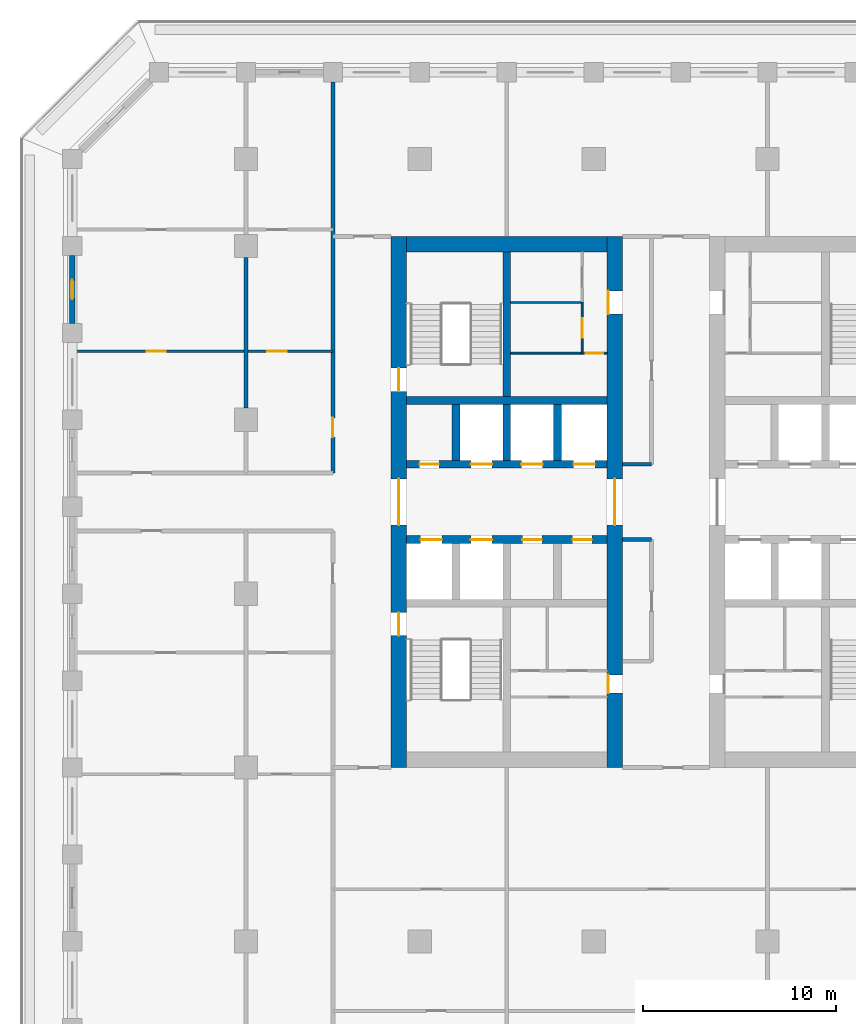
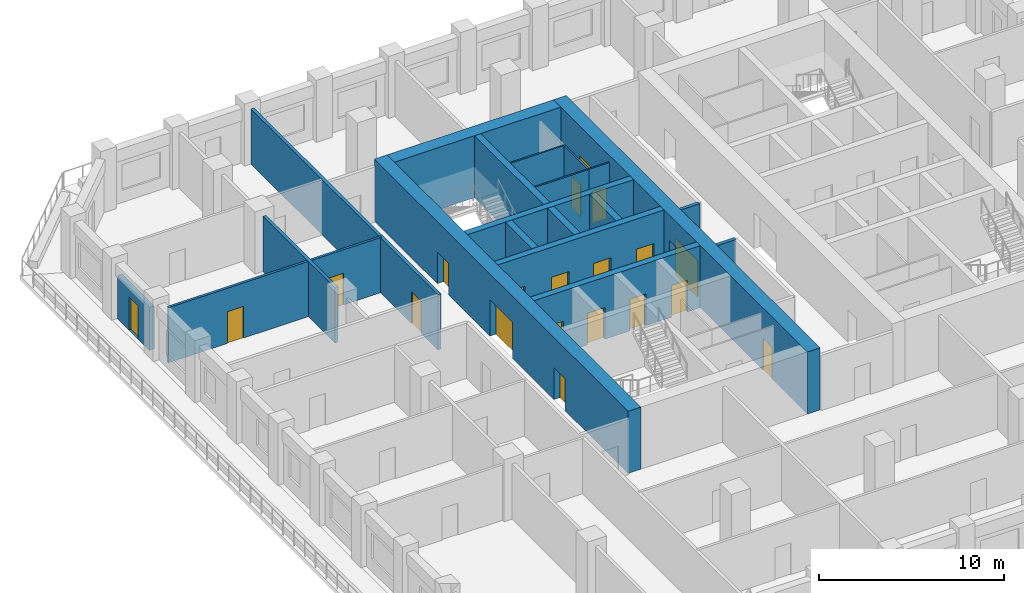
# One storey, part 5 of 16: 20 doors, 20 walls, 20 openings.
"""IFC4 building model written with IfcOpenShell, lengths in metres."""

from ifc_helpers import new_model, si_unit, direction, frame, frame_2d, origin, place, context, subcontext, project, spatial, rectangle, extrude, material, layer, layer_set, type_object, element, fill, save


model = new_model("IFC4")

# Units and contexts
model_context = context("Model", 3, precision=1e-05, world=origin(), true_north=direction((0.0, 1.0)))
body_context = subcontext(model_context, "Body", "Model", "MODEL_VIEW")
ifc_project = project(units=[si_unit("LENGTHUNIT", "METRE"), si_unit("AREAUNIT", "SQUARE_METRE"), si_unit("VOLUMEUNIT", "CUBIC_METRE"), si_unit("PLANEANGLEUNIT", "RADIAN"), si_unit("MASSUNIT", "GRAM", prefix="KILO")], contexts=[model_context])

# Site, building, storey
site_placement = place(None, origin())
site = spatial("IfcSite", under=ifc_project, at=site_placement, CompositionType="ELEMENT")
building_placement = place(site_placement, origin())
building = spatial("IfcBuilding", under=site, at=building_placement, Name="Corbel Stack Research Tower", CompositionType="ELEMENT")
storey_placement = place(building_placement, frame((0.0, 0.0, 177.300048828125)))
storey = spatial("IfcBuildingStorey", under=building, at=storey_placement, Name="L40", CompositionType="ELEMENT", Elevation=177.300048828125)

# Wall, openings, doors
ifc_material_1 = material(Name="Concrete C60/75", Category="concrete")
ifc_layer_1 = layer(ifc_material_1, 0.39990234375)
ifc_layer_set_1 = layer_set([ifc_layer_1], Name="Concrete C60/75")
wall_type_1 = type_object("IfcWallType", Name="CW-400-60", PredefinedType="SHEAR", material=ifc_layer_set_1)
wall_1_placement = place(storey_placement, frame((-9.699951171875, 2.800048828125, 0.0), z_axis=(0.0, 0.0, 1.0), x_axis=(1.0, 0.0, 0.0)))
wall_1 = element("IfcWall", 1, at=wall_1_placement, inside=storey, type_object=wall_type_1, Name="West core wall, lobby south L40", PredefinedType="SHEAR", context=body_context, shape_type="SweptSolid", body=[
    extrude(rectangle(XDim=10.39990234375, YDim=0.39990234375, at=frame_2d((5.199951171875, 0.0))), origin(), (0.0, 0.0, 1.0), 4.099853515625),
])
opening_1_placement = place(wall_1_placement, frame((0.737548828125, 0.0, 0.0)))
opening_1 = element("IfcOpeningElement", 2, at=opening_1_placement, cuts=wall_1, Name="Opening LD-FS1", PredefinedType="OPENING", context=body_context, shape_type="SweptSolid", body=[
    extrude(rectangle(XDim=1.10009765625, YDim=2.10009765625, at=frame_2d((0.550048828125, 1.050048828125))), frame((0.0, 0.2099609375, 0.0), z_axis=(0.0, -1.0, 0.0), x_axis=(1.0, 0.0, 0.0)), (0.0, 0.0, 1.0), 0.419921875),
])
opening_2_placement = place(wall_1_placement, frame((3.33740234375, 0.0, 0.0)))
opening_2 = element("IfcOpeningElement", 3, at=opening_2_placement, cuts=wall_1, Name="Opening LD-GL1", PredefinedType="OPENING", context=body_context, shape_type="SweptSolid", body=[
    extrude(rectangle(XDim=1.10009765625, YDim=2.10009765625, at=frame_2d((0.550048828125, 1.050048828125))), frame((0.0, 0.2099609375, 0.0), z_axis=(0.0, -1.0, 0.0), x_axis=(1.0, 0.0, 0.0)), (0.0, 0.0, 1.0), 0.419921875),
])
opening_3_placement = place(wall_1_placement, frame((6.012451171875, 0.0, 0.0)))
opening_3 = element("IfcOpeningElement", 4, at=opening_3_placement, cuts=wall_1, Name="Opening CR-W24-S3", PredefinedType="OPENING", context=body_context, shape_type="SweptSolid", body=[
    extrude(rectangle(XDim=1.0, YDim=2.10009765625, at=frame_2d((0.5, 1.050048828125))), frame((0.0, 0.2099609375, 0.0), z_axis=(0.0, -1.0, 0.0), x_axis=(1.0, 0.0, 0.0)), (0.0, 0.0, 1.0), 0.419921875),
])
opening_4_placement = place(wall_1_placement, frame((8.612548828125, 0.0, 0.0)))
opening_4 = element("IfcOpeningElement", 5, at=opening_4_placement, cuts=wall_1, Name="Opening CR-W24-S4", PredefinedType="OPENING", context=body_context, shape_type="SweptSolid", body=[
    extrude(rectangle(XDim=1.0, YDim=2.10009765625, at=frame_2d((0.5, 1.050048828125))), frame((0.0, 0.2099609375, 0.0), z_axis=(0.0, -1.0, 0.0), x_axis=(1.0, 0.0, 0.0)), (0.0, 0.0, 1.0), 0.419921875),
])
ifc_material_2 = material(Name="Stainless steel landing door", Category="steel")
door_type_1 = type_object("IfcDoorType", Name="Lift landing door 1100 x 2100", OperationType="DOUBLE_DOOR_SLIDING", PredefinedType="DOOR", material=ifc_material_2)
door_1_placement = place(opening_1_placement, origin())
door_1 = element("IfcDoor", 6, at=door_1_placement, inside=storey, type_object=door_type_1, Name="Landing door FS1", OperationType="DOUBLE_DOOR_SLIDING", OverallHeight=2.10009765625, OverallWidth=1.10009765625, PredefinedType="DOOR", context=body_context, shape_type="SweptSolid", body=[
    extrude(rectangle(XDim=1.10009765625, YDim=2.10009765625, at=frame_2d((0.550048828125, 1.050048828125))), frame((0.0, 0.02490234375, 0.0), z_axis=(0.0, -1.0, 0.0), x_axis=(1.0, 0.0, 0.0)), (0.0, 0.0, 1.0), 0.050048828125),
])
fill(opening_1, door_1)
door_2_placement = place(opening_2_placement, origin())
door_2 = element("IfcDoor", 7, at=door_2_placement, inside=storey, type_object=door_type_1, Name="Landing door GL1", OperationType="DOUBLE_DOOR_SLIDING", OverallHeight=2.10009765625, OverallWidth=1.10009765625, PredefinedType="DOOR", context=body_context, shape_type="SweptSolid", body=[
    extrude(rectangle(XDim=1.10009765625, YDim=2.10009765625, at=frame_2d((0.550048828125, 1.050048828125))), frame((0.0, 0.02490234375, 0.0), z_axis=(0.0, -1.0, 0.0), x_axis=(1.0, 0.0, 0.0)), (0.0, 0.0, 1.0), 0.050048828125),
])
fill(opening_2, door_2)
ifc_material_3 = material(Name="Painted steel door", Category="steel")
door_type_2 = type_object("IfcDoorType", Name="Service door 1000 x 2100 FD60 left hand", OperationType="SINGLE_SWING_LEFT", PredefinedType="DOOR", material=ifc_material_3)
door_3_placement = place(opening_3_placement, origin())
door_3 = element("IfcDoor", 8, at=door_3_placement, inside=storey, type_object=door_type_2, Name="Staff WC door W core", OperationType="SINGLE_SWING_LEFT", OverallHeight=2.10009765625, OverallWidth=1.0, PredefinedType="DOOR", context=body_context, shape_type="SweptSolid", body=[
    extrude(rectangle(XDim=1.0, YDim=2.10009765625, at=frame_2d((0.5, 1.050048828125))), frame((0.0, 0.02490234375, 0.0), z_axis=(0.0, -1.0, 0.0), x_axis=(1.0, 0.0, 0.0)), (0.0, 0.0, 1.0), 0.050048828125),
])
fill(opening_3, door_3)
ifc_material_4 = material(Name="Painted steel door", Category="steel")
door_type_3 = type_object("IfcDoorType", Name="Service door 1000 x 2100 FD60 right hand", OperationType="SINGLE_SWING_RIGHT", PredefinedType="DOOR", material=ifc_material_4)
door_4_placement = place(opening_4_placement, origin())
door_4 = element("IfcDoor", 9, at=door_4_placement, inside=storey, type_object=door_type_3, Name="Laboratory consumables store door W core", OperationType="SINGLE_SWING_RIGHT", OverallHeight=2.10009765625, OverallWidth=1.0, PredefinedType="DOOR", context=body_context, shape_type="SweptSolid", body=[
    extrude(rectangle(XDim=1.0, YDim=2.10009765625, at=frame_2d((0.5, 1.050048828125))), frame((0.0, 0.02490234375, 0.0), z_axis=(0.0, -1.0, 0.0), x_axis=(1.0, 0.0, 0.0)), (0.0, 0.0, 1.0), 0.050048828125),
])
fill(opening_4, door_4)

wall_2_placement = place(storey_placement, frame((-9.699951171875, 6.699951171875, 0.0), z_axis=(0.0, 0.0, 1.0), x_axis=(1.0, 0.0, 0.0)))
wall_2 = element("IfcWall", 10, at=wall_2_placement, inside=storey, type_object=wall_type_1, Name="West core wall, lobby north L40", PredefinedType="SHEAR", context=body_context, shape_type="SweptSolid", body=[
    extrude(rectangle(XDim=10.39990234375, YDim=0.39990234375, at=frame_2d((5.199951171875, 0.0))), origin(), (0.0, 0.0, 1.0), 4.099853515625),
])
opening_5_placement = place(wall_2_placement, frame((3.33740234375, 0.0, 0.0)))
opening_5 = element("IfcOpeningElement", 11, at=opening_5_placement, cuts=wall_2, Name="Opening LD-HR1", PredefinedType="OPENING", context=body_context, shape_type="SweptSolid", body=[
    extrude(rectangle(XDim=1.10009765625, YDim=2.10009765625, at=frame_2d((0.550048828125, 1.050048828125))), frame((0.0, 0.2099609375, 0.0), z_axis=(0.0, -1.0, 0.0), x_axis=(1.0, 0.0, 0.0)), (0.0, 0.0, 1.0), 0.419921875),
])
opening_6_placement = place(wall_2_placement, frame((5.96240234375, 0.0, 0.0)))
opening_6 = element("IfcOpeningElement", 12, at=opening_6_placement, cuts=wall_2, Name="Opening LD-HR2", PredefinedType="OPENING", context=body_context, shape_type="SweptSolid", body=[
    extrude(rectangle(XDim=1.10009765625, YDim=2.10009765625, at=frame_2d((0.550048828125, 1.050048828125))), frame((0.0, 0.2099609375, 0.0), z_axis=(0.0, -1.0, 0.0), x_axis=(1.0, 0.0, 0.0)), (0.0, 0.0, 1.0), 0.419921875),
])
opening_7_placement = place(wall_2_placement, frame((8.66259765625, 0.0, 0.0)))
opening_7 = element("IfcOpeningElement", 13, at=opening_7_placement, cuts=wall_2, Name="Opening LD-HR3", PredefinedType="OPENING", context=body_context, shape_type="SweptSolid", body=[
    extrude(rectangle(XDim=1.10009765625, YDim=2.10009765625, at=frame_2d((0.550048828125, 1.050048828125))), frame((0.0, 0.2099609375, 0.0), z_axis=(0.0, -1.0, 0.0), x_axis=(1.0, 0.0, 0.0)), (0.0, 0.0, 1.0), 0.419921875),
])
opening_8_placement = place(wall_2_placement, frame((0.6875, 0.0, 0.0)))
opening_8 = element("IfcOpeningElement", 14, at=opening_8_placement, cuts=wall_2, Name="Opening CR-W24-N1", PredefinedType="OPENING", context=body_context, shape_type="SweptSolid", body=[
    extrude(rectangle(XDim=1.0, YDim=2.10009765625, at=frame_2d((0.5, 1.050048828125))), frame((0.0, 0.2099609375, 0.0), z_axis=(0.0, -1.0, 0.0), x_axis=(1.0, 0.0, 0.0)), (0.0, 0.0, 1.0), 0.419921875),
])
door_5_placement = place(opening_5_placement, origin())
door_5 = element("IfcDoor", 15, at=door_5_placement, inside=storey, type_object=door_type_1, Name="Landing door HR1", OperationType="DOUBLE_DOOR_SLIDING", OverallHeight=2.10009765625, OverallWidth=1.10009765625, PredefinedType="DOOR", context=body_context, shape_type="SweptSolid", body=[
    extrude(rectangle(XDim=1.10009765625, YDim=2.10009765625, at=frame_2d((0.550048828125, 1.050048828125))), frame((0.0, 0.02490234375, 0.0), z_axis=(0.0, -1.0, 0.0), x_axis=(1.0, 0.0, 0.0)), (0.0, 0.0, 1.0), 0.050048828125),
])
fill(opening_5, door_5)
door_6_placement = place(opening_6_placement, origin())
door_6 = element("IfcDoor", 16, at=door_6_placement, inside=storey, type_object=door_type_1, Name="Landing door HR2", OperationType="DOUBLE_DOOR_SLIDING", OverallHeight=2.10009765625, OverallWidth=1.10009765625, PredefinedType="DOOR", context=body_context, shape_type="SweptSolid", body=[
    extrude(rectangle(XDim=1.10009765625, YDim=2.10009765625, at=frame_2d((0.550048828125, 1.050048828125))), frame((0.0, 0.02490234375, 0.0), z_axis=(0.0, -1.0, 0.0), x_axis=(1.0, 0.0, 0.0)), (0.0, 0.0, 1.0), 0.050048828125),
])
fill(opening_6, door_6)
door_7_placement = place(opening_7_placement, origin())
door_7 = element("IfcDoor", 17, at=door_7_placement, inside=storey, type_object=door_type_1, Name="Landing door HR3", OperationType="DOUBLE_DOOR_SLIDING", OverallHeight=2.10009765625, OverallWidth=1.10009765625, PredefinedType="DOOR", context=body_context, shape_type="SweptSolid", body=[
    extrude(rectangle(XDim=1.10009765625, YDim=2.10009765625, at=frame_2d((0.550048828125, 1.050048828125))), frame((0.0, 0.02490234375, 0.0), z_axis=(0.0, -1.0, 0.0), x_axis=(1.0, 0.0, 0.0)), (0.0, 0.0, 1.0), 0.050048828125),
])
fill(opening_7, door_7)
door_8_placement = place(opening_8_placement, origin())
door_8 = element("IfcDoor", 18, at=door_8_placement, inside=storey, type_object=door_type_2, Name="Cleaner's store door W core", OperationType="SINGLE_SWING_LEFT", OverallHeight=2.10009765625, OverallWidth=1.0, PredefinedType="DOOR", context=body_context, shape_type="SweptSolid", body=[
    extrude(rectangle(XDim=1.0, YDim=2.10009765625, at=frame_2d((0.5, 1.050048828125))), frame((0.0, 0.02490234375, 0.0), z_axis=(0.0, -1.0, 0.0), x_axis=(1.0, 0.0, 0.0)), (0.0, 0.0, 1.0), 0.050048828125),
])
fill(opening_8, door_8)

# Walls
wall_3_placement = place(storey_placement, frame((-9.699951171875, 10.0, 0.0), z_axis=(0.0, 0.0, 1.0), x_axis=(1.0, 0.0, 0.0)))
element("IfcWall", 19, at=wall_3_placement, inside=storey, type_object=wall_type_1, Name="West core wall, north row back L40", PredefinedType="SHEAR", context=body_context, shape_type="SweptSolid", body=[
    extrude(rectangle(XDim=10.39990234375, YDim=0.39990234375, at=frame_2d((5.199951171875, 0.0))), origin(), (0.0, 0.0, 1.0), 4.099853515625),
])
for number, where, z_axis, x_axis, name in (
    (20, (-7.125, 6.89990234375, 0.0), (0.0, 0.0, 1.0), (0.0, 1.0, 0.0), "West core wall, north shaft 1 L40"),
    (21, (-4.5, 6.89990234375, 0.0), (0.0, 0.0, 1.0), (0.0, 1.0, 0.0), "West core wall, north shaft 2 L40"),
    (22, (-1.875, 6.89990234375, 0.0), (0.0, 0.0, 1.0), (0.0, 1.0, 0.0), "West core wall, north shaft 3 L40"),
):
    element("IfcWall", number, at=place(storey_placement, frame(where, z_axis=z_axis, x_axis=x_axis)), inside=storey, type_object=wall_type_1, Name=name, PredefinedType="SHEAR", context=body_context, shape_type="SweptSolid", body=[
        extrude(rectangle(XDim=2.900146484375, YDim=0.39990234375, at=frame_2d((1.4501953125, 0.0))), origin(), (0.0, 0.0, 1.0), 4.099853515625),
    ])
wall_4_placement = place(storey_placement, frame((-4.5, 10.199951171875, 0.0), z_axis=(0.0, 0.0, 1.0), x_axis=(0.0, 1.0, 0.0)))
element("IfcWall", 23, at=wall_4_placement, inside=storey, type_object=wall_type_1, Name="West core wall, north stair and riser L40", PredefinedType="SHEAR", context=body_context, shape_type="SweptSolid", body=[
    extrude(rectangle(XDim=7.5, YDim=0.39990234375, at=frame_2d((3.75, 0.0))), origin(), (0.0, 0.0, 1.0), 4.099853515625),
])

# Wall, openings, doors
ifc_material_5 = material(Name="Concrete C60/75", Category="concrete")
ifc_layer_2 = layer(ifc_material_5, 0.800048828125)
ifc_layer_set_2 = layer_set([ifc_layer_2], Name="Concrete C60/75")
wall_type_2 = type_object("IfcWallType", Name="CW-800-60", PredefinedType="SHEAR", material=ifc_layer_set_2)
wall_5_placement = place(storey_placement, frame((-10.10009765625, -9.0, 0.0), z_axis=(0.0, 0.0, 1.0), x_axis=(0.0, 1.0, 0.0)))
wall_5 = element("IfcWall", 24, at=wall_5_placement, inside=storey, type_object=wall_type_2, Name="West core wall, west face L40", PredefinedType="SHEAR", context=body_context, shape_type="SweptSolid", body=[
    extrude(rectangle(XDim=27.5, YDim=0.800048828125, at=frame_2d((13.75, 0.0))), origin(), (0.0, 0.0, 1.0), 4.099853515625),
])
opening_9_placement = place(wall_5_placement, frame((12.550048828125, 0.0, 0.0)))
opening_9 = element("IfcOpeningElement", 25, at=opening_9_placement, cuts=wall_5, Name="Opening CD-W-W", PredefinedType="OPENING", context=body_context, shape_type="SweptSolid", body=[
    extrude(rectangle(XDim=2.39990234375, YDim=2.39990234375, at=frame_2d((1.199951171875, 1.199951171875))), frame((0.0, 0.409912109375, 0.0), z_axis=(0.0, -1.0, 0.0), x_axis=(1.0, 0.0, 0.0)), (0.0, 0.0, 1.0), 0.820068359375),
])
opening_10_placement = place(wall_5_placement, frame((6.824951171875, 0.0, 0.0)))
opening_10 = element("IfcOpeningElement", 26, at=opening_10_placement, cuts=wall_5, Name="Opening SD-ST-W1", PredefinedType="OPENING", context=body_context, shape_type="SweptSolid", body=[
    extrude(rectangle(XDim=1.199951171875, YDim=2.10009765625, at=frame_2d((0.60009765625, 1.050048828125))), frame((0.0, 0.409912109375, 0.0), z_axis=(0.0, -1.0, 0.0), x_axis=(1.0, 0.0, 0.0)), (0.0, 0.0, 1.0), 0.820068359375),
])
opening_11_placement = place(wall_5_placement, frame((19.47509765625, 0.0, 0.0)))
opening_11 = element("IfcOpeningElement", 27, at=opening_11_placement, cuts=wall_5, Name="Opening SD-ST-W2", PredefinedType="OPENING", context=body_context, shape_type="SweptSolid", body=[
    extrude(rectangle(XDim=1.199951171875, YDim=2.10009765625, at=frame_2d((0.60009765625, 1.050048828125))), frame((0.0, 0.409912109375, 0.0), z_axis=(0.0, -1.0, 0.0), x_axis=(1.0, 0.0, 0.0)), (0.0, 0.0, 1.0), 0.820068359375),
])
ifc_material_6 = material(Name="Painted steel fire door", Category="steel")
door_type_4 = type_object("IfcDoorType", Name="Lobby door pair 2400 x 2400 FD30S", OperationType="DOUBLE_DOOR_DOUBLE_SWING", PredefinedType="DOOR", material=ifc_material_6)
door_9_placement = place(opening_9_placement, origin())
door_9 = element("IfcDoor", 28, at=door_9_placement, inside=storey, type_object=door_type_4, Name="Lift lobby door W core W", OperationType="DOUBLE_DOOR_DOUBLE_SWING", OverallHeight=2.39990234375, OverallWidth=2.39990234375, PredefinedType="DOOR", context=body_context, shape_type="SweptSolid", body=[
    extrude(rectangle(XDim=2.39990234375, YDim=2.39990234375, at=frame_2d((1.199951171875, 1.199951171875))), frame((0.0, 0.02490234375, 0.0), z_axis=(0.0, -1.0, 0.0), x_axis=(1.0, 0.0, 0.0)), (0.0, 0.0, 1.0), 0.050048828125),
])
fill(opening_9, door_9)
ifc_material_7 = material(Name="Painted steel fire door", Category="steel")
door_type_5 = type_object("IfcDoorType", Name="Stair door 1200 x 2100 FD90 left hand", OperationType="SINGLE_SWING_LEFT", PredefinedType="DOOR", material=ifc_material_7)
door_10_placement = place(opening_10_placement, origin())
door_10 = element("IfcDoor", 29, at=door_10_placement, inside=storey, type_object=door_type_5, Name="Stair door ST-W1", OperationType="SINGLE_SWING_LEFT", OverallHeight=2.10009765625, OverallWidth=1.199951171875, PredefinedType="DOOR", context=body_context, shape_type="SweptSolid", body=[
    extrude(rectangle(XDim=1.199951171875, YDim=2.10009765625, at=frame_2d((0.60009765625, 1.050048828125))), frame((0.0, 0.02490234375, 0.0), z_axis=(0.0, -1.0, 0.0), x_axis=(1.0, 0.0, 0.0)), (0.0, 0.0, 1.0), 0.050048828125),
])
fill(opening_10, door_10)
door_11_placement = place(opening_11_placement, origin())
door_11 = element("IfcDoor", 30, at=door_11_placement, inside=storey, type_object=door_type_5, Name="Stair door ST-W2", OperationType="SINGLE_SWING_LEFT", OverallHeight=2.10009765625, OverallWidth=1.199951171875, PredefinedType="DOOR", context=body_context, shape_type="SweptSolid", body=[
    extrude(rectangle(XDim=1.199951171875, YDim=2.10009765625, at=frame_2d((0.60009765625, 1.050048828125))), frame((0.0, 0.02490234375, 0.0), z_axis=(0.0, -1.0, 0.0), x_axis=(1.0, 0.0, 0.0)), (0.0, 0.0, 1.0), 0.050048828125),
])
fill(opening_11, door_11)

wall_6_placement = place(storey_placement, frame((1.10009765625, -9.0, 0.0), z_axis=(0.0, 0.0, 1.0), x_axis=(0.0, 1.0, 0.0)))
wall_6 = element("IfcWall", 31, at=wall_6_placement, inside=storey, type_object=wall_type_2, Name="West core wall, east face L40", PredefinedType="SHEAR", context=body_context, shape_type="SweptSolid", body=[
    extrude(rectangle(XDim=27.5, YDim=0.800048828125, at=frame_2d((13.75, 0.0))), origin(), (0.0, 0.0, 1.0), 4.099853515625),
])
opening_12_placement = place(wall_6_placement, frame((12.550048828125, 0.0, 0.0)))
opening_12 = element("IfcOpeningElement", 32, at=opening_12_placement, cuts=wall_6, Name="Opening CD-W-E", PredefinedType="OPENING", context=body_context, shape_type="SweptSolid", body=[
    extrude(rectangle(XDim=2.39990234375, YDim=2.39990234375, at=frame_2d((1.199951171875, 1.199951171875))), frame((0.0, 0.409912109375, 0.0), z_axis=(0.0, -1.0, 0.0), x_axis=(1.0, 0.0, 0.0)), (0.0, 0.0, 1.0), 0.820068359375),
])
opening_13_placement = place(wall_6_placement, frame((3.85009765625, 0.0, 0.0)))
opening_13 = element("IfcOpeningElement", 33, at=opening_13_placement, cuts=wall_6, Name="Opening CR-W24-W1-950", PredefinedType="OPENING", context=body_context, shape_type="SweptSolid", body=[
    extrude(rectangle(XDim=0.949951171875, YDim=2.10009765625, at=frame_2d((0.47509765625, 1.050048828125))), frame((0.0, 0.409912109375, 0.0), z_axis=(0.0, -1.0, 0.0), x_axis=(1.0, 0.0, 0.0)), (0.0, 0.0, 1.0), 0.820068359375),
])
opening_14_placement = place(wall_6_placement, frame((23.47509765625, 0.0, 0.0)))
opening_14 = element("IfcOpeningElement", 34, at=opening_14_placement, cuts=wall_6, Name="Opening CR-W24-R2-1200", PredefinedType="OPENING", context=body_context, shape_type="SweptSolid", body=[
    extrude(rectangle(XDim=1.199951171875, YDim=2.10009765625, at=frame_2d((0.60009765625, 1.050048828125))), frame((0.0, 0.409912109375, 0.0), z_axis=(0.0, -1.0, 0.0), x_axis=(1.0, 0.0, 0.0)), (0.0, 0.0, 1.0), 0.820068359375),
])
door_12_placement = place(opening_12_placement, origin())
door_12 = element("IfcDoor", 35, at=door_12_placement, inside=storey, type_object=door_type_4, Name="Lift lobby door W core E", OperationType="DOUBLE_DOOR_DOUBLE_SWING", OverallHeight=2.39990234375, OverallWidth=2.39990234375, PredefinedType="DOOR", context=body_context, shape_type="SweptSolid", body=[
    extrude(rectangle(XDim=2.39990234375, YDim=2.39990234375, at=frame_2d((1.199951171875, 1.199951171875))), frame((0.0, 0.02490234375, 0.0), z_axis=(0.0, -1.0, 0.0), x_axis=(1.0, 0.0, 0.0)), (0.0, 0.0, 1.0), 0.050048828125),
])
fill(opening_12, door_12)
ifc_material_8 = material(Name="Painted steel door", Category="steel")
door_type_6 = type_object("IfcDoorType", Name="Service door 1200 x 2100 FD30 right hand", OperationType="SINGLE_SWING_RIGHT", PredefinedType="DOOR", material=ifc_material_8)
door_13_placement = place(opening_14_placement, origin())
door_13 = element("IfcDoor", 36, at=door_13_placement, inside=storey, type_object=door_type_6, Name="Service passage door W core", OperationType="SINGLE_SWING_RIGHT", OverallHeight=2.10009765625, OverallWidth=1.199951171875, PredefinedType="DOOR", context=body_context, shape_type="SweptSolid", body=[
    extrude(rectangle(XDim=1.199951171875, YDim=2.10009765625, at=frame_2d((0.60009765625, 1.050048828125))), frame((0.0, 0.375, 0.0), z_axis=(0.0, -1.0, 0.0), x_axis=(1.0, 0.0, 0.0)), (0.0, 0.0, 1.0), 0.050048828125),
])
fill(opening_14, door_13)
ifc_material_9 = material(Name="Painted timber door", Category="wood")
door_type_7 = type_object("IfcDoorType", Name="WC door 950 x 2100 left hand", OperationType="SINGLE_SWING_LEFT", PredefinedType="DOOR", material=ifc_material_9)
door_14_placement = place(opening_13_placement, origin())
door_14 = element("IfcDoor", 37, at=door_14_placement, inside=storey, type_object=door_type_7, Name="WC lobby door W core", OperationType="SINGLE_SWING_LEFT", OverallHeight=2.10009765625, OverallWidth=0.949951171875, PredefinedType="DOOR", context=body_context, shape_type="SweptSolid", body=[
    extrude(rectangle(XDim=0.949951171875, YDim=2.10009765625, at=frame_2d((0.47509765625, 1.050048828125))), frame((0.0, 0.375, 0.0), z_axis=(0.0, -1.0, 0.0), x_axis=(1.0, 0.0, 0.0)), (0.0, 0.0, 1.0), 0.050048828125),
])
fill(opening_13, door_14)

# Wall
wall_7_placement = place(storey_placement, frame((-9.699951171875, 18.10009765625, 0.0), z_axis=(0.0, 0.0, 1.0), x_axis=(1.0, 0.0, 0.0)))
element("IfcWall", 38, at=wall_7_placement, inside=storey, type_object=wall_type_2, Name="West core wall, north end L40", PredefinedType="SHEAR", context=body_context, shape_type="SweptSolid", body=[
    extrude(rectangle(XDim=10.39990234375, YDim=0.800048828125, at=frame_2d((5.199951171875, 0.0))), origin(), (0.0, 0.0, 1.0), 4.099853515625),
])

# Wall, opening, door
ifc_material_10 = material(Name="Gypsum board")
ifc_layer_3 = layer(ifc_material_10, 0.10009765625)
ifc_layer_set_3 = layer_set([ifc_layer_3], Name="Gypsum board")
wall_type_3 = type_object("IfcWallType", Name="Core partition 100", PredefinedType="PARTITIONING", material=ifc_layer_set_3)
wall_8_placement = place(storey_placement, frame((-0.60009765625, 12.449951171875, 0.0), z_axis=(0.0, 0.0, 1.0), x_axis=(1.0, 0.0, 0.0)))
wall_8 = element("IfcWall", 39, at=wall_8_placement, inside=storey, type_object=wall_type_3, Name="Core partition W", PredefinedType="PARTITIONING", context=body_context, shape_type="SweptSolid", body=[
    extrude(rectangle(XDim=1.300048828125, YDim=0.10009765625, at=frame_2d((0.64990234375, 0.0))), origin(), (0.0, 0.0, 1.0), 3.64990234375),
])
opening_15_placement = place(wall_8_placement, frame((0.199951171875, 0.0, 0.0)))
opening_15 = element("IfcOpeningElement", 40, at=opening_15_placement, cuts=wall_8, Name="Opening CR-W24-R1-900", PredefinedType="OPENING", context=body_context, shape_type="SweptSolid", body=[
    extrude(rectangle(XDim=0.89990234375, YDim=2.10009765625, at=frame_2d((0.449951171875, 1.050048828125))), frame((0.0, 0.06005859375, 0.0), z_axis=(0.0, -1.0, 0.0), x_axis=(1.0, 0.0, 0.0)), (0.0, 0.0, 1.0), 0.1201171875),
])
ifc_material_11 = material(Name="Painted steel door", Category="steel")
door_type_8 = type_object("IfcDoorType", Name="Riser door 900 x 2100 FD60 left hand", OperationType="SINGLE_SWING_LEFT", PredefinedType="DOOR", material=ifc_material_11)
door_15_placement = place(opening_15_placement, origin())
door_15 = element("IfcDoor", 41, at=door_15_placement, inside=storey, type_object=door_type_8, Name="Electrical riser door W core", OperationType="SINGLE_SWING_LEFT", OverallHeight=2.10009765625, OverallWidth=0.89990234375, PredefinedType="DOOR", context=body_context, shape_type="SweptSolid", body=[
    extrude(rectangle(XDim=0.89990234375, YDim=2.10009765625, at=frame_2d((0.449951171875, 1.050048828125))), frame((0.0, 0.02490234375, 0.0), z_axis=(0.0, -1.0, 0.0), x_axis=(1.0, 0.0, 0.0)), (0.0, 0.0, 1.0), 0.050048828125),
])
fill(opening_15, door_15)

# Wall
wall_9_placement = place(storey_placement, frame((-4.300048828125, 12.449951171875, 0.0), z_axis=(0.0, 0.0, 1.0), x_axis=(1.0, 0.0, 0.0)))
element("IfcWall", 42, at=wall_9_placement, inside=storey, type_object=wall_type_3, Name="Core partition W", PredefinedType="PARTITIONING", context=body_context, shape_type="SweptSolid", body=[
    extrude(rectangle(XDim=3.699951171875, YDim=0.10009765625, at=frame_2d((1.85009765625, 0.0))), origin(), (0.0, 0.0, 1.0), 3.64990234375),
])

# Wall, opening, door
wall_10_placement = place(storey_placement, frame((-0.60009765625, 12.449951171875, 0.0), z_axis=(0.0, 0.0, 1.0), x_axis=(0.0, 1.0, 0.0)))
wall_10 = element("IfcWall", 43, at=wall_10_placement, inside=storey, type_object=wall_type_3, Name="Core partition W", PredefinedType="PARTITIONING", context=body_context, shape_type="SweptSolid", body=[
    extrude(rectangle(XDim=2.625, YDim=0.10009765625, at=frame_2d((1.3125, 0.0))), origin(), (0.0, 0.0, 1.0), 3.64990234375),
])
opening_16_placement = place(wall_10_placement, frame((0.8125, 0.0, 0.0)))
opening_16 = element("IfcOpeningElement", 44, at=opening_16_placement, cuts=wall_10, Name="Opening CR-W24-R3-1000", PredefinedType="OPENING", context=body_context, shape_type="SweptSolid", body=[
    extrude(rectangle(XDim=1.0, YDim=2.10009765625, at=frame_2d((0.5, 1.050048828125))), frame((0.0, 0.06005859375, 0.0), z_axis=(0.0, -1.0, 0.0), x_axis=(1.0, 0.0, 0.0)), (0.0, 0.0, 1.0), 0.1201171875),
])
ifc_material_12 = material(Name="Painted steel door", Category="steel")
door_type_9 = type_object("IfcDoorType", Name="Service door 1000 x 2100 FD30 left hand", OperationType="SINGLE_SWING_LEFT", PredefinedType="DOOR", material=ifc_material_12)
door_16_placement = place(opening_16_placement, origin())
door_16 = element("IfcDoor", 45, at=door_16_placement, inside=storey, type_object=door_type_9, Name="Pantry door W core", OperationType="SINGLE_SWING_LEFT", OverallHeight=2.10009765625, OverallWidth=1.0, PredefinedType="DOOR", context=body_context, shape_type="SweptSolid", body=[
    extrude(rectangle(XDim=1.0, YDim=2.10009765625, at=frame_2d((0.5, 1.050048828125))), frame((0.0, 0.02490234375, 0.0), z_axis=(0.0, -1.0, 0.0), x_axis=(1.0, 0.0, 0.0)), (0.0, 0.0, 1.0), 0.050048828125),
])
fill(opening_16, door_16)

# Walls
wall_11_placement = place(storey_placement, frame((-4.300048828125, 15.074951171875, 0.0), z_axis=(0.0, 0.0, 1.0), x_axis=(1.0, 0.0, 0.0)))
element("IfcWall", 46, at=wall_11_placement, inside=storey, type_object=wall_type_3, Name="Core partition W", PredefinedType="PARTITIONING", context=body_context, shape_type="SweptSolid", body=[
    extrude(rectangle(XDim=3.699951171875, YDim=0.10009765625, at=frame_2d((1.85009765625, 0.0))), origin(), (0.0, 0.0, 1.0), 3.64990234375),
])
ifc_material_13 = material(Name="Fire-rated gypsum board partition on steel studs", Category="steel")
ifc_layer_4 = layer(ifc_material_13, 0.199951171875)
ifc_layer_set_4 = layer_set([ifc_layer_4], Name="Fire-rated gypsum board partition on steel studs")
wall_type_4 = type_object("IfcWallType", Name="Fire-rated partition 200 EI 60", PredefinedType="PARTITIONING", material=ifc_layer_set_4)
wall_12_placement = place(storey_placement, frame((-18.0, 9.60009765625, 0.0), z_axis=(0.0, 0.0, 1.0), x_axis=(0.0, 1.0, 0.0)))
element("IfcWall", 47, at=wall_12_placement, inside=storey, type_object=wall_type_4, Name="Partition L40-006", PredefinedType="PARTITIONING", context=body_context, shape_type="SweptSolid", body=[
    extrude(rectangle(XDim=7.7998046875, YDim=0.199951171875, at=frame_2d((3.89990234375, 0.0))), origin(), (0.0, 0.0, 1.0), 3.64990234375),
])

# Wall, opening, door
wall_13_placement = place(storey_placement, frame((-13.5, 6.25, 0.0), z_axis=(0.0, 0.0, 1.0), x_axis=(0.0, 1.0, 0.0)))
wall_13 = element("IfcWall", 48, at=wall_13_placement, inside=storey, type_object=wall_type_4, Name="Partition L40-010", PredefinedType="PARTITIONING", context=body_context, shape_type="SweptSolid", body=[
    extrude(rectangle(XDim=20.25, YDim=0.199951171875, at=frame_2d((10.125, 0.0))), origin(), (0.0, 0.0, 1.0), 3.64990234375),
])
opening_17_placement = place(wall_13_placement, frame((1.85009765625, 0.0, 0.0)))
opening_17 = element("IfcOpeningElement", 49, at=opening_17_placement, cuts=wall_13, Name="Opening B5V2-008", PredefinedType="OPENING", context=body_context, shape_type="SweptSolid", body=[
    extrude(rectangle(XDim=1.0, YDim=2.10009765625, at=frame_2d((0.5, 1.050048828125))), frame((0.0, 0.10986328125, 0.0), z_axis=(0.0, -1.0, 0.0), x_axis=(1.0, 0.0, 0.0)), (0.0, 0.0, 1.0), 0.219970703125),
])
ifc_material_14 = material(Name="Painted steel fire door", Category="steel")
door_type_10 = type_object("IfcDoorType", Name="Fire door FD30S 1000 x 2100", OperationType="NOTDEFINED", PredefinedType="DOOR", material=ifc_material_14)
door_17_placement = place(opening_17_placement, origin())
door_17 = element("IfcDoor", 50, at=door_17_placement, inside=storey, type_object=door_type_10, Name="Door B5V2-008", OperationType="SINGLE_SWING_LEFT", OverallHeight=2.10009765625, OverallWidth=1.0, PredefinedType="DOOR", context=body_context, shape_type="SweptSolid", body=[
    extrude(rectangle(XDim=1.0, YDim=2.10009765625, at=frame_2d((0.5, 1.050048828125))), frame((0.0, 0.02490234375, 0.0), z_axis=(0.0, -1.0, 0.0), x_axis=(1.0, 0.0, 0.0)), (0.0, 0.0, 1.0), 0.050048828125),
])
fill(opening_17, door_17)

# Walls
for number, where, z_axis, x_axis, name in (
    (51, (1.5, 2.800048828125, 0.0), (0.0, 0.0, 1.0), (1.0, 0.0, 0.0), "Partition L40-033"),
    (52, (1.5, 6.699951171875, 0.0), (0.0, 0.0, 1.0), (1.0, 0.0, 0.0), "Partition L40-038"),
):
    element("IfcWall", number, at=place(storey_placement, frame(where, z_axis=z_axis, x_axis=x_axis)), inside=storey, type_object=wall_type_4, Name=name, PredefinedType="PARTITIONING", context=body_context, shape_type="SweptSolid", body=[
        extrude(rectangle(XDim=1.5, YDim=0.199951171875, at=frame_2d((0.75, 0.0))), origin(), (0.0, 0.0, 1.0), 3.64990234375),
    ])

# Wall, openings, doors
ifc_material_15 = material(Name="Gypsum board partition on steel studs", Category="steel")
ifc_layer_5 = layer(ifc_material_15, 0.14990234375)
ifc_layer_set_5 = layer_set([ifc_layer_5], Name="Gypsum board partition on steel studs")
wall_type_5 = type_object("IfcWallType", Name="Partition 150", PredefinedType="PARTITIONING", material=ifc_layer_set_5)
wall_14_placement = place(storey_placement, frame((-26.85009765625, 12.550048828125, 0.0), z_axis=(0.0, 0.0, 1.0), x_axis=(1.0, 0.0, 0.0)))
wall_14 = element("IfcWall", 53, at=wall_14_placement, inside=storey, type_object=wall_type_5, Name="Partition L40-039", PredefinedType="PARTITIONING", context=body_context, shape_type="SweptSolid", body=[
    extrude(rectangle(XDim=13.35009765625, YDim=0.14990234375, at=frame_2d((6.675048828125, 0.0))), origin(), (0.0, 0.0, 1.0), 3.64990234375),
])
opening_18_placement = place(wall_14_placement, frame((3.699951171875, 0.0, 0.0)))
opening_18 = element("IfcOpeningElement", 54, at=opening_18_placement, cuts=wall_14, Name="Opening B5V2-022", PredefinedType="OPENING", context=body_context, shape_type="SweptSolid", body=[
    extrude(rectangle(XDim=1.0, YDim=2.10009765625, at=frame_2d((0.5, 1.050048828125))), frame((0.0, 0.0849609375, 0.0), z_axis=(0.0, -1.0, 0.0), x_axis=(1.0, 0.0, 0.0)), (0.0, 0.0, 1.0), 0.169921875),
])
opening_19_placement = place(wall_14_placement, frame((9.949951171875, 0.0, 0.0)))
opening_19 = element("IfcOpeningElement", 55, at=opening_19_placement, cuts=wall_14, Name="Opening B5V2-023", PredefinedType="OPENING", context=body_context, shape_type="SweptSolid", body=[
    extrude(rectangle(XDim=1.0, YDim=2.10009765625, at=frame_2d((0.5, 1.050048828125))), frame((0.0, 0.0849609375, 0.0), z_axis=(0.0, -1.0, 0.0), x_axis=(1.0, 0.0, 0.0)), (0.0, 0.0, 1.0), 0.169921875),
])
ifc_material_16 = material(Name="Painted timber door", Category="wood")
door_type_11 = type_object("IfcDoorType", Name="Single door 1000 x 2100", OperationType="NOTDEFINED", PredefinedType="DOOR", material=ifc_material_16)
door_18_placement = place(opening_18_placement, origin())
door_18 = element("IfcDoor", 56, at=door_18_placement, inside=storey, type_object=door_type_11, Name="Door B5V2-022", OperationType="SINGLE_SWING_LEFT", OverallHeight=2.10009765625, OverallWidth=1.0, PredefinedType="DOOR", context=body_context, shape_type="SweptSolid", body=[
    extrude(rectangle(XDim=1.0, YDim=2.10009765625, at=frame_2d((0.5, 1.050048828125))), frame((0.0, 0.02490234375, 0.0), z_axis=(0.0, -1.0, 0.0), x_axis=(1.0, 0.0, 0.0)), (0.0, 0.0, 1.0), 0.050048828125),
])
fill(opening_18, door_18)
door_19_placement = place(opening_19_placement, origin())
door_19 = element("IfcDoor", 57, at=door_19_placement, inside=storey, type_object=door_type_11, Name="Door B5V2-023", OperationType="SINGLE_SWING_RIGHT", OverallHeight=2.10009765625, OverallWidth=1.0, PredefinedType="DOOR", context=body_context, shape_type="SweptSolid", body=[
    extrude(rectangle(XDim=1.0, YDim=2.10009765625, at=frame_2d((0.5, 1.050048828125))), frame((0.0, 0.02490234375, 0.0), z_axis=(0.0, -1.0, 0.0), x_axis=(1.0, 0.0, 0.0)), (0.0, 0.0, 1.0), 0.050048828125),
])
fill(opening_19, door_19)

# Wall, opening, door
ifc_material_17 = material(Name="Concrete C45/55", Category="concrete")
ifc_layer_6 = layer(ifc_material_17, 0.300048828125)
ifc_layer_set_6 = layer_set([ifc_layer_6], Name="Concrete C45/55")
wall_type_6 = type_object("IfcWallType", Name="Terracotta-faced concrete wall 300", PredefinedType="SOLIDWALL", material=ifc_layer_set_6)
wall_15_placement = place(storey_placement, frame((-27.0, 14.0, 0.0), z_axis=(0.0, 0.0, 1.0), x_axis=(0.0, 1.0, 0.0)))
wall_15 = element("IfcWall", 58, at=wall_15_placement, inside=storey, type_object=wall_type_6, Name="Facade wall L40 W02", PredefinedType="SOLIDWALL", context=body_context, shape_type="SweptSolid", body=[
    extrude(rectangle(XDim=3.5, YDim=0.300048828125, at=frame_2d((1.75, 0.0))), origin(), (0.0, 0.0, 1.0), 2.849853515625),
])
opening_20_placement = place(wall_15_placement, frame((1.25, 0.0, 0.0)))
opening_20 = element("IfcOpeningElement", 59, at=opening_20_placement, cuts=wall_15, Name="Opening L40-B10", PredefinedType="OPENING", context=body_context, shape_type="SweptSolid", body=[
    extrude(rectangle(XDim=1.0, YDim=2.199951171875, at=frame_2d((0.5, 1.10009765625))), frame((0.0, 0.159912109375, 0.0), z_axis=(0.0, -1.0, 0.0), x_axis=(1.0, 0.0, 0.0)), (0.0, 0.0, 1.0), 0.320068359375),
])
ifc_material_18 = material(Name="Aluminium frame, clear double glazing", Category="aluminium")
door_type_12 = type_object("IfcDoorType", Name="Balcony door BD1 1000 x 2200", OperationType="NOTDEFINED", PredefinedType="DOOR", material=ifc_material_18)
door_20_placement = place(opening_20_placement, origin())
door_20 = element("IfcDoor", 60, at=door_20_placement, inside=storey, type_object=door_type_12, Name="Balcony door L40-B10", OperationType="SINGLE_SWING_RIGHT", OverallHeight=2.199951171875, OverallWidth=1.0, PredefinedType="DOOR", context=body_context, shape_type="SweptSolid", body=[
    extrude(rectangle(XDim=1.0, YDim=2.199951171875, at=frame_2d((0.5, 1.10009765625))), frame((0.0, 0.02490234375, 0.0), z_axis=(0.0, -1.0, 0.0), x_axis=(1.0, 0.0, 0.0)), (0.0, 0.0, 1.0), 0.050048828125),
])
fill(opening_20, door_20)

save(model, "model.ifc")
